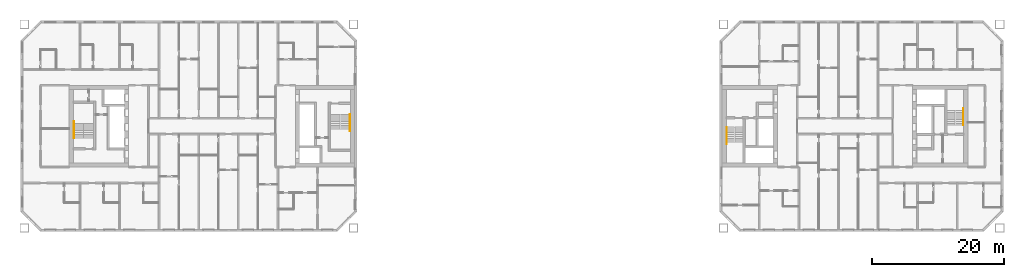
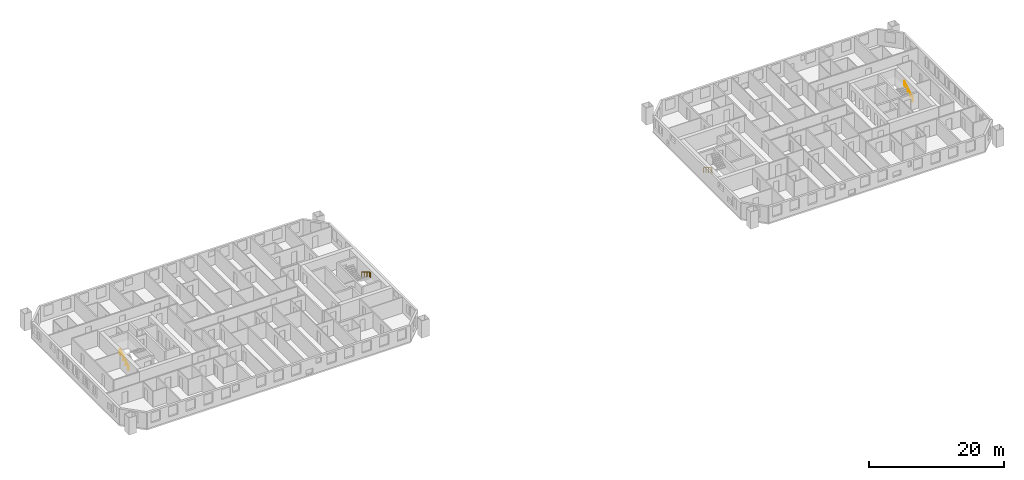
# One storey, part 17 of 17: 4 railings.
"""IFC4 building model written with IfcOpenShell, lengths in metres."""

from ifc_helpers import new_model, si_unit, direction, frame, origin, origin_2d, place, context, subcontext, project, spatial, circle, extrude, material, type_object, element, save


model = new_model("IFC4")

# Units and contexts
model_context = context("Model", 3, precision=1e-05, world=origin(), true_north=direction((0.0, 1.0)))
body_context = subcontext(model_context, "Body", "Model", "MODEL_VIEW")
ifc_project = project(units=[si_unit("LENGTHUNIT", "METRE"), si_unit("AREAUNIT", "SQUARE_METRE"), si_unit("VOLUMEUNIT", "CUBIC_METRE"), si_unit("PLANEANGLEUNIT", "RADIAN"), si_unit("MASSUNIT", "GRAM", prefix="KILO")], contexts=[model_context])

# Site, building, storey
site_placement = place(None, origin())
site = spatial("IfcSite", under=ifc_project, at=site_placement, CompositionType="ELEMENT")
building_placement = place(site_placement, origin())
building = spatial("IfcBuilding", under=site, at=building_placement, Name="Tuart Gate Housing", CompositionType="ELEMENT")
storey_placement = place(building_placement, frame((0.0, 0.0, 108.800048828125)))
storey = spatial("IfcBuildingStorey", under=building, at=storey_placement, Name="L30", CompositionType="ELEMENT", Elevation=108.800048828125)

# Railings
ifc_material = material(Name="Stainless steel", Category="steel")
railing_type = type_object("IfcRailingType", Name="Stair handrail 900", PredefinedType="HANDRAIL", material=ifc_material)
railing_1_placement = place(storey_placement, frame((74.929931640625, 71.800048828125, 0.172119140625)))
element("IfcRailing", 1, at=railing_1_placement, inside=storey, type_object=railing_type, Name="Stair handrail SA1.1", PredefinedType="HANDRAIL", context=body_context, shape_type="SweptSolid", body=[
    extrude(circle(Radius=0.02392578125, at=origin_2d()), frame((0.0, 0.0, 0.8759765625), z_axis=(0.0, -0.851747552033, 0.523952390591), x_axis=(1.0, 0.0, 0.0)), (0.0, 0.0, 1.0), 2.6298828125),
    extrude(circle(Radius=0.02392578125, at=origin_2d()), frame((0.0, -2.239990234375, 2.25390625), z_axis=(0.0, -1.0, 0.0), x_axis=(1.0, 0.0, 0.0)), (0.0, 0.0, 1.0), 0.300048828125),
    extrude(circle(Radius=0.02099609375, at=origin_2d()), origin(), (0.0, 0.0, 1.0), 0.851806640625),
    extrude(circle(Radius=0.02099609375, at=origin_2d()), frame((0.0, -0.74658203125, 0.459228515625)), (0.0, 0.0, 1.0), 0.851806640625),
    extrude(circle(Radius=0.02099609375, at=origin_2d()), frame((0.0, -1.493408203125, 0.918701171875)), (0.0, 0.0, 1.0), 0.851806640625),
    extrude(circle(Radius=0.02099609375, at=origin_2d()), frame((0.0, -2.239990234375, 1.3779296875)), (0.0, 0.0, 1.0), 0.851806640625),
    extrude(circle(Radius=0.02099609375, at=origin_2d()), frame((0.0, -2.5400390625, 1.3779296875)), (0.0, 0.0, 1.0), 0.851806640625),
])
railing_2_placement = place(storey_placement, frame((33.070068359375, 68.199951171875, 0.172119140625)))
element("IfcRailing", 2, at=railing_2_placement, inside=storey, type_object=railing_type, Name="Stair handrail SA2.1", PredefinedType="HANDRAIL", context=body_context, shape_type="SweptSolid", body=[
    extrude(circle(Radius=0.02392578125, at=origin_2d()), frame((0.0, 0.0, 0.8759765625), z_axis=(0.0, 0.851747552033, 0.523952390591), x_axis=(-1.0, 0.0, 0.0)), (0.0, 0.0, 1.0), 2.6298828125),
    extrude(circle(Radius=0.02392578125, at=origin_2d()), frame((0.0, 2.239990234375, 2.25390625), z_axis=(0.0, 1.0, 0.0), x_axis=(-1.0, 0.0, 0.0)), (0.0, 0.0, 1.0), 0.300048828125),
    extrude(circle(Radius=0.02099609375, at=origin_2d()), origin(), (0.0, 0.0, 1.0), 0.851806640625),
    extrude(circle(Radius=0.02099609375, at=origin_2d()), frame((0.0, 0.74658203125, 0.459228515625)), (0.0, 0.0, 1.0), 0.851806640625),
    extrude(circle(Radius=0.02099609375, at=origin_2d()), frame((0.0, 1.493408203125, 0.918701171875)), (0.0, 0.0, 1.0), 0.851806640625),
    extrude(circle(Radius=0.02099609375, at=origin_2d()), frame((0.0, 2.239990234375, 1.3779296875)), (0.0, 0.0, 1.0), 0.851806640625),
    extrude(circle(Radius=0.02099609375, at=origin_2d()), frame((0.0, 2.5400390625, 1.3779296875)), (0.0, 0.0, 1.0), 0.851806640625),
])
railing_3_placement = place(storey_placement, frame((132.070068359375, 69.85009765625, 0.172119140625)))
element("IfcRailing", 3, at=railing_3_placement, inside=storey, type_object=railing_type, Name="Stair handrail SB1.1", PredefinedType="HANDRAIL", context=body_context, shape_type="SweptSolid", body=[
    extrude(circle(Radius=0.02392578125, at=origin_2d()), frame((0.0, 0.0, 0.8759765625), z_axis=(0.0, -0.851747552033, 0.523952390591), x_axis=(1.0, 0.0, 0.0)), (0.0, 0.0, 1.0), 2.6298828125),
    extrude(circle(Radius=0.02392578125, at=origin_2d()), frame((0.0, -2.239990234375, 2.25390625), z_axis=(0.0, -1.0, 0.0), x_axis=(1.0, 0.0, 0.0)), (0.0, 0.0, 1.0), 0.300048828125),
    extrude(circle(Radius=0.02099609375, at=origin_2d()), origin(), (0.0, 0.0, 1.0), 0.851806640625),
    extrude(circle(Radius=0.02099609375, at=origin_2d()), frame((0.0, -0.74658203125, 0.459228515625)), (0.0, 0.0, 1.0), 0.851806640625),
    extrude(circle(Radius=0.02099609375, at=origin_2d()), frame((0.0, -1.493408203125, 0.918701171875)), (0.0, 0.0, 1.0), 0.851806640625),
    extrude(circle(Radius=0.02099609375, at=origin_2d()), frame((0.0, -2.239990234375, 1.3779296875)), (0.0, 0.0, 1.0), 0.851806640625),
    extrude(circle(Radius=0.02099609375, at=origin_2d()), frame((0.0, -2.5400390625, 1.3779296875)), (0.0, 0.0, 1.0), 0.851806640625),
])
railing_4_placement = place(storey_placement, frame((167.929931640625, 70.14990234375, 0.172119140625)))
element("IfcRailing", 4, at=railing_4_placement, inside=storey, type_object=railing_type, Name="Stair handrail SB2.1", PredefinedType="HANDRAIL", context=body_context, shape_type="SweptSolid", body=[
    extrude(circle(Radius=0.02392578125, at=origin_2d()), frame((0.0, 0.0, 0.8759765625), z_axis=(0.0, 0.851747552033, 0.523952390591), x_axis=(-1.0, 0.0, 0.0)), (0.0, 0.0, 1.0), 2.6298828125),
    extrude(circle(Radius=0.02392578125, at=origin_2d()), frame((0.0, 2.239990234375, 2.25390625), z_axis=(0.0, 1.0, 0.0), x_axis=(-1.0, 0.0, 0.0)), (0.0, 0.0, 1.0), 0.300048828125),
    extrude(circle(Radius=0.02099609375, at=origin_2d()), origin(), (0.0, 0.0, 1.0), 0.851806640625),
    extrude(circle(Radius=0.02099609375, at=origin_2d()), frame((0.0, 0.74658203125, 0.459228515625)), (0.0, 0.0, 1.0), 0.851806640625),
    extrude(circle(Radius=0.02099609375, at=origin_2d()), frame((0.0, 1.493408203125, 0.918701171875)), (0.0, 0.0, 1.0), 0.851806640625),
    extrude(circle(Radius=0.02099609375, at=origin_2d()), frame((0.0, 2.239990234375, 1.3779296875)), (0.0, 0.0, 1.0), 0.851806640625),
    extrude(circle(Radius=0.02099609375, at=origin_2d()), frame((0.0, 2.5400390625, 1.3779296875)), (0.0, 0.0, 1.0), 0.851806640625),
])

save(model, "model.ifc")
